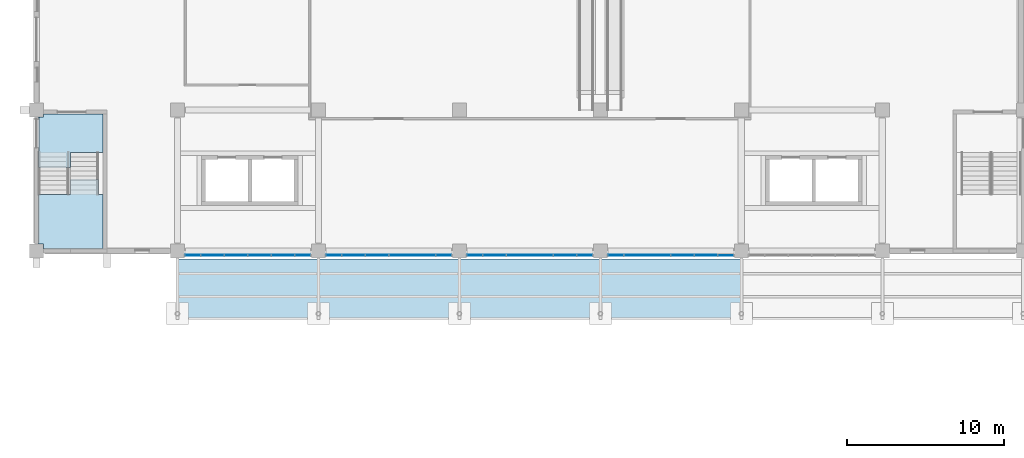
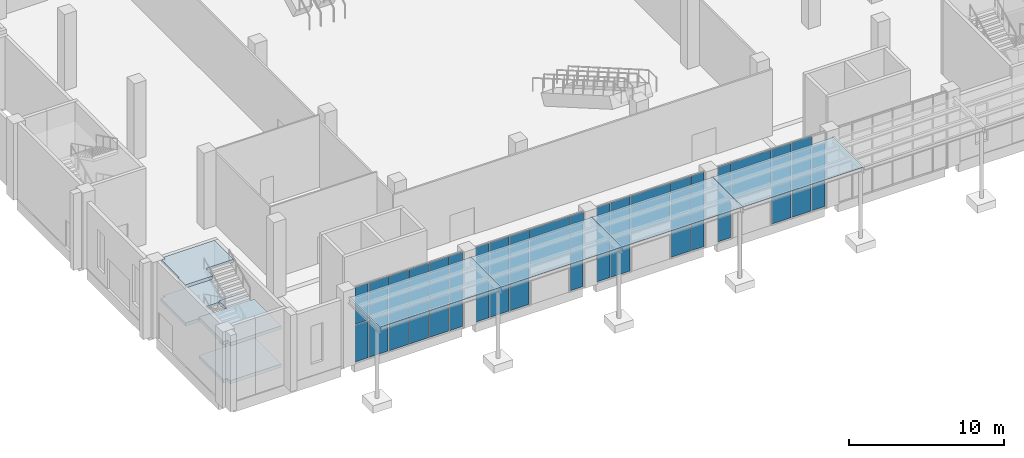
# One storey, part 37 of 86: 63 plates, 4 slabs, 5 elements without a shape of their own.
"""IFC4 building model written with IfcOpenShell, lengths in metres."""

import ifcopenshell
import ifcopenshell.guid

model = None  # the IFC model being written
_history = None  # IfcOwnerHistory: only IFC2X3 demands one
_inside = {}  # id of a spatial element -> (the spatial element, [elements in it])
_under = {}  # id of a project, library or spatial element -> (it, [spatial elements below it])
_declared = {}  # id of a project -> (the project, [libraries it declares])
_typed = {}  # id of a type object -> (the type object, [elements of that type])
_made_of = {}  # id of a material, layer set ... -> (it, [elements and type objects made of it])


def new_model(schema):
    """Start an empty IFC model of exactly this schema.

    Asked for "IFC4X3", IfcOpenShell would pick the latest addendum, in which some entities
    have other attributes; the version numbers below select the first issue.
    IFC2X3 requires an IfcOwnerHistory on every rooted entity: one is made here for all.
    """
    global model, _history
    if schema == "IFC4X3":
        model = ifcopenshell.file(schema_version=(4, 3, 0, 0))
    else:
        model = ifcopenshell.file(schema=schema)
    _inside.clear()
    _under.clear()
    _declared.clear()
    _typed.clear()
    _made_of.clear()
    _history = None
    if model.schema == "IFC2X3":
        org = make("IfcOrganization", Name="unknown")
        user = make(
            "IfcPersonAndOrganization",
            ThePerson=make("IfcPerson", FamilyName="unknown"),
            TheOrganization=org,
        )
        app = make(
            "IfcApplication",
            ApplicationDeveloper=org,
            Version="unknown",
            ApplicationFullName="unknown",
            ApplicationIdentifier="unknown",
        )
        _history = make(
            "IfcOwnerHistory",
            OwningUser=user,
            OwningApplication=app,
            ChangeAction="ADDED",
            CreationDate=0,
        )
    return model


def make(cls, **values):
    """One entity of the class cls with the attributes given. An attribute that is None is left unset."""
    return model.create_entity(
        cls, **{name: value for name, value in values.items() if value is not None}
    )


def rooted(cls, **values):
    """An entity with a GlobalId (a new one), such as an element, a storey or a relation."""
    return make(cls, GlobalId=ifcopenshell.guid.new(), OwnerHistory=_history, **values)


def si_unit(unit_type, name, prefix=None):
    """IfcSIUnit, for example si_unit("LENGTHUNIT", "METRE", prefix="MILLI")."""
    return make("IfcSIUnit", UnitType=unit_type, Prefix=prefix, Name=name)


def assignment(units):
    """IfcUnitAssignment: the units of a project."""
    return None if units is None else make("IfcUnitAssignment", Units=units)


def point(xyz):
    """IfcCartesianPoint."""
    return None if xyz is None else make("IfcCartesianPoint", Coordinates=xyz)


def direction(xyz):
    """IfcDirection."""
    return None if xyz is None else make("IfcDirection", DirectionRatios=xyz)


def frame(location, z_axis=None, x_axis=None):
    """IfcAxis2Placement3D, a coordinate frame: its origin and axes. An axis left out is left unset."""
    return make(
        "IfcAxis2Placement3D",
        Location=point(location),
        Axis=direction(z_axis),
        RefDirection=direction(x_axis),
    )


def frame_2d(location, x_axis=None):
    """IfcAxis2Placement2D, a coordinate frame in the plane: its origin and x axis."""
    return make(
        "IfcAxis2Placement2D", Location=point(location), RefDirection=direction(x_axis)
    )


def origin():
    """The frame at (0, 0, 0) with its axes left unset."""
    return frame((0.0, 0.0, 0.0))


def origin_2d():
    """The frame at (0, 0) in the plane with its x axis left unset."""
    return frame_2d((0.0, 0.0))


def place(relative_to, where):
    """IfcLocalPlacement: puts the frame where relative to a parent placement (None: the world)."""
    return make(
        "IfcLocalPlacement", PlacementRelTo=relative_to, RelativePlacement=where
    )


def context(
    kind, dimensions, precision=None, world=None, true_north=None, identifier=None
):
    """IfcGeometricRepresentationContext, for example the 3D "Model" context."""
    return make(
        "IfcGeometricRepresentationContext",
        ContextIdentifier=identifier,
        ContextType=kind,
        CoordinateSpaceDimension=dimensions,
        Precision=precision,
        WorldCoordinateSystem=world,
        TrueNorth=true_north,
    )


def subcontext(parent, identifier, kind, view, scale=None):
    """IfcGeometricRepresentationSubContext, for example "Body" below "Model"."""
    return make(
        "IfcGeometricRepresentationSubContext",
        ContextIdentifier=identifier,
        ContextType=kind,
        ParentContext=parent,
        TargetScale=scale,
        TargetView=view,
    )


def project(units=None, contexts=None):
    """IfcProject with its units and contexts."""
    return rooted(
        "IfcProject",
        Name="project",
        RepresentationContexts=contexts,
        UnitsInContext=assignment(units),
    )


def spatial(cls, under=None, at=None, **own):
    """A site, building, storey or space (cls), placed at a placement, below another one or the project."""
    s = rooted(cls, ObjectPlacement=at, **own)
    if under is not None:
        _under.setdefault(under.id(), (under, []))[1].append(s)
    return s


def polyline(points):
    """IfcPolyline through the points."""
    return make("IfcPolyline", Points=[point(p) for p in points])


def profile(cls, at=None, kind="AREA", **sizes):
    """A parametric profile (cls). Its sizes go by their IFC names, for example OverallWidth=200.0."""
    return make(cls, ProfileType=kind, Position=at, **sizes)


def rectangle(**sizes):
    """IfcRectangleProfileDef."""
    return profile("IfcRectangleProfileDef", **sizes)


def outline(outer, holes=None, kind="AREA"):
    """IfcArbitraryClosedProfileDef: a profile drawn as a closed curve; with holes, ...WithVoids."""
    if holes is None:
        return make("IfcArbitraryClosedProfileDef", ProfileType=kind, OuterCurve=outer)
    return make(
        "IfcArbitraryProfileDefWithVoids",
        ProfileType=kind,
        OuterCurve=outer,
        InnerCurves=holes,
    )


def extrude(swept, where, along, depth):
    """IfcExtrudedAreaSolid: the profile swept, set in the frame where, extruded along a direction by depth."""
    return make(
        "IfcExtrudedAreaSolid",
        SweptArea=swept,
        Position=where,
        ExtrudedDirection=direction(along),
        Depth=depth,
    )


def shape(context_of_items, identifier, shape_type, items):
    """IfcShapeRepresentation: the items that make up one representation, for example the "Body"."""
    return make(
        "IfcShapeRepresentation",
        ContextOfItems=context_of_items,
        RepresentationIdentifier=identifier,
        RepresentationType=shape_type,
        Items=items,
    )


def material(Name=None, Category=None):
    """IfcMaterial."""
    return make("IfcMaterial", Name=Name, Category=Category)


def layer(
    of_material, thickness, ventilated=None, Name=None, Category=None, Priority=None
):
    """IfcMaterialLayer: one layer of a wall or slab, of a material (None: an air gap)."""
    return make(
        "IfcMaterialLayer",
        Material=of_material,
        LayerThickness=thickness,
        IsVentilated=ventilated,
        Name=Name,
        Category=Category,
        Priority=Priority,
    )


def layer_set(layers, Name=None):
    """IfcMaterialLayerSet."""
    return make("IfcMaterialLayerSet", MaterialLayers=layers, LayerSetName=Name)


def made_of(thing, what):
    """Note that an element or type object is made of a material, layer set ...; save() writes the relation."""
    if what is not None:
        _made_of.setdefault(what.id(), (what, []))[1].append(thing)
    return thing


def type_object(cls, material=None, **own):
    """A type object (cls), such as IfcWallType, which elements share."""
    return made_of(rooted(cls, **own), material)


def element(
    cls,
    number,
    at=None,
    inside=None,
    cuts=None,
    type_object=None,
    material=None,
    context=None,
    identifier="Body",
    shape_type=None,
    held_by="IfcProductDefinitionShape",
    body=None,
    shapes=None,
    **own,
):
    """One element of the class cls, such as IfcWall. Its Tag is "e" and its number.

    at: its placement. inside: the storey or other place that contains it. cuts: it is an
    opening in that element (IfcRelVoidsElement). A single representation is given by context,
    identifier, shape_type and body (its items); several are given by shapes. held_by: the class
    of the entity that holds the representations. save() writes the other relations.
    """
    e = rooted(cls, Tag="e%d" % number, ObjectPlacement=at, **own)
    if body is not None:
        shapes = [shape(context, identifier, shape_type, body)]
    if shapes is not None:
        e.Representation = make(held_by, Representations=shapes)
    if inside is not None:
        _inside.setdefault(inside.id(), (inside, []))[1].append(e)
    if cuts is not None:
        rooted(
            "IfcRelVoidsElement", RelatingBuildingElement=cuts, RelatedOpeningElement=e
        )
    if type_object is not None:
        _typed.setdefault(type_object.id(), (type_object, []))[1].append(e)
    return made_of(e, material)


def aggregate(whole, parts):
    """IfcRelAggregates: a whole, such as a stair, and the parts it consists of."""
    return rooted("IfcRelAggregates", RelatingObject=whole, RelatedObjects=parts)


def save(model, path):
    """Write the relations noted so far, then the file.

    IfcRelAggregates (storeys below a building ...), IfcRelContainedInSpatialStructure (elements
    in a storey), IfcRelDefinesByType, IfcRelAssociatesMaterial and IfcRelDeclares: one each for
    every whole, place, type object, material and project.
    """
    for whole, parts in _under.values():
        aggregate(whole, parts)
    for where, things in _inside.values():
        rooted(
            "IfcRelContainedInSpatialStructure",
            RelatedElements=things,
            RelatingStructure=where,
        )
    for kind, things in _typed.values():
        rooted("IfcRelDefinesByType", RelatedObjects=things, RelatingType=kind)
    for what, things in _made_of.values():
        rooted("IfcRelAssociatesMaterial", RelatedObjects=things, RelatingMaterial=what)
    for by, libraries in _declared.values():
        rooted("IfcRelDeclares", RelatingContext=by, RelatedDefinitions=libraries)
    model.write(path)


model = new_model("IFC4")

# Units and contexts
model_context = context("Model", 3, precision=1e-05, world=origin(), true_north=direction((0.0, 1.0)))
body_context = subcontext(model_context, "Body", "Model", "MODEL_VIEW")
ifc_project = project(units=[si_unit("LENGTHUNIT", "METRE"), si_unit("AREAUNIT", "SQUARE_METRE"), si_unit("VOLUMEUNIT", "CUBIC_METRE"), si_unit("PLANEANGLEUNIT", "RADIAN"), si_unit("MASSUNIT", "GRAM", prefix="KILO")], contexts=[model_context])

# Site, building, storey
site_placement = place(None, origin())
site = spatial("IfcSite", under=ifc_project, at=site_placement, CompositionType="ELEMENT")
building_placement = place(site_placement, origin())
building = spatial("IfcBuilding", under=site, at=building_placement, Name="Guidao Yard Department Store", CompositionType="ELEMENT")
storey_placement = place(building_placement, origin())
storey = spatial("IfcBuildingStorey", under=building, at=storey_placement, Name="L00", CompositionType="ELEMENT", Elevation=0.0)

# Plates
ifc_material_1 = material(Name="Laminated glass", Category="glass")
ifc_layer_1 = layer(ifc_material_1, 0.021484375)
ifc_layer_set_1 = layer_set([ifc_layer_1], Name="Canopy glass CG1 laminated 10+10")
plate_type_1 = type_object("IfcPlateType", Name="Canopy glass CG1 laminated 10+10", PredefinedType="SHEET", material=ifc_layer_set_1)
for number, where, z_axis, x_axis, name in (
    (1, (13.5, 42.56005859375, 5.449951171875), (0.0, 0.0, 1.0), (1.0, 0.0, 0.0), "Entrance canopy glazing 1.1"),
    (2, (22.5, 42.56005859375, 5.449951171875), (0.0, 0.0, 1.0), (1.0, 0.0, 0.0), "Entrance canopy glazing 2.1"),
    (3, (31.5, 42.56005859375, 5.449951171875), (0.0, 0.0, 1.0), (1.0, 0.0, 0.0), "Entrance canopy glazing 3.1"),
    (4, (40.5, 42.56005859375, 5.449951171875), (0.0, 0.0, 1.0), (1.0, 0.0, 0.0), "Entrance canopy glazing 4.1"),
):
    element("IfcPlate", number, at=place(storey_placement, frame(where, z_axis=z_axis, x_axis=x_axis)), inside=storey, type_object=plate_type_1, Name=name, PredefinedType="SHEET", context=body_context, shape_type="SweptSolid", body=[
        extrude(rectangle(XDim=8.989990234375, YDim=3.8798828125, at=origin_2d()), origin(), (0.0, 0.0, 1.0), 0.021484375),
    ])

# Curtain wall, plates
ifc_material_2 = material(Name="Aluminium and glass", Category="aluminium")
ifc_layer_2 = layer(ifc_material_2, 0.159912109375)
ifc_layer_set_2 = layer_set([ifc_layer_2], Name="Hall front curtain wall CW2 1500 module")
curtain_wall_type = type_object("IfcCurtainWallType", Name="Hall front curtain wall CW2 1500 module", PredefinedType="NOTDEFINED", material=ifc_layer_set_2)
curtain_wall_1_placement = place(storey_placement, origin())
curtain_wall_1 = element("IfcCurtainWall", 5, at=curtain_wall_1_placement, inside=storey, type_object=curtain_wall_type, Name="Hall front curtain wall", PredefinedType="NOTDEFINED")
ifc_material_3 = material(Name="Aluminium 6063-T5 faced insulated spandrel", Category="aluminium")
ifc_layer_3 = layer(ifc_material_3, 0.06005859375)
ifc_layer_set_3 = layer_set([ifc_layer_3], Name="Spandrel panel SP1 insulated opaque")
plate_type_2 = type_object("IfcPlateType", Name="Spandrel panel SP1 insulated opaque", PredefinedType="CURTAIN_PANEL", material=ifc_layer_set_3)
plate_1_placement = place(storey_placement, frame((9.989990234375, 44.719970703125, 5.1298828125), z_axis=(0.0, 0.0, 1.0), x_axis=(-1.0, 0.0, 0.0)))
plate_1 = element("IfcPlate", 6, at=plate_1_placement, type_object=plate_type_2, Name="CW-HF-L00-01 panel 1.3", PredefinedType="CURTAIN_PANEL", context=body_context, shape_type="SweptSolid", body=[
    extrude(rectangle(XDim=0.9599609375, YDim=0.06005859375, at=origin_2d()), origin(), (0.0, 0.0, 1.0), 0.81005859375),
])
plate_2_placement = place(storey_placement, frame((11.25, 44.719970703125, 5.1298828125), z_axis=(0.0, 0.0, 1.0), x_axis=(-1.0, 0.0, 0.0)))
plate_2 = element("IfcPlate", 7, at=plate_2_placement, type_object=plate_type_2, Name="CW-HF-L00-01 panel 2.3", PredefinedType="CURTAIN_PANEL", context=body_context, shape_type="SweptSolid", body=[
    extrude(rectangle(XDim=1.43994140625, YDim=0.06005859375, at=origin_2d()), origin(), (0.0, 0.0, 1.0), 0.81005859375),
])
plate_3_placement = place(storey_placement, frame((12.75, 44.719970703125, 5.1298828125), z_axis=(0.0, 0.0, 1.0), x_axis=(-1.0, 0.0, 0.0)))
plate_3 = element("IfcPlate", 8, at=plate_3_placement, type_object=plate_type_2, Name="CW-HF-L00-01 panel 3.3", PredefinedType="CURTAIN_PANEL", context=body_context, shape_type="SweptSolid", body=[
    extrude(rectangle(XDim=1.43994140625, YDim=0.06005859375, at=origin_2d()), origin(), (0.0, 0.0, 1.0), 0.81005859375),
])
plate_4_placement = place(storey_placement, frame((14.25, 44.719970703125, 5.1298828125), z_axis=(0.0, 0.0, 1.0), x_axis=(-1.0, 0.0, 0.0)))
plate_4 = element("IfcPlate", 9, at=plate_4_placement, type_object=plate_type_2, Name="CW-HF-L00-01 panel 4.3", PredefinedType="CURTAIN_PANEL", context=body_context, shape_type="SweptSolid", body=[
    extrude(rectangle(XDim=1.43994140625, YDim=0.06005859375, at=origin_2d()), origin(), (0.0, 0.0, 1.0), 0.81005859375),
])
plate_5_placement = place(storey_placement, frame((15.75, 44.719970703125, 5.1298828125), z_axis=(0.0, 0.0, 1.0), x_axis=(-1.0, 0.0, 0.0)))
plate_5 = element("IfcPlate", 10, at=plate_5_placement, type_object=plate_type_2, Name="CW-HF-L00-01 panel 5.3", PredefinedType="CURTAIN_PANEL", context=body_context, shape_type="SweptSolid", body=[
    extrude(rectangle(XDim=1.43994140625, YDim=0.06005859375, at=origin_2d()), origin(), (0.0, 0.0, 1.0), 0.81005859375),
])
plate_6_placement = place(storey_placement, frame((17.010009765625, 44.719970703125, 5.1298828125), z_axis=(0.0, 0.0, 1.0), x_axis=(-1.0, 0.0, 0.0)))
plate_6 = element("IfcPlate", 11, at=plate_6_placement, type_object=plate_type_2, Name="CW-HF-L00-01 panel 6.3", PredefinedType="CURTAIN_PANEL", context=body_context, shape_type="SweptSolid", body=[
    extrude(rectangle(XDim=0.9599609375, YDim=0.06005859375, at=origin_2d()), origin(), (0.0, 0.0, 1.0), 0.81005859375),
])

curtain_wall_2_placement = place(storey_placement, origin())
curtain_wall_2 = element("IfcCurtainWall", 12, at=curtain_wall_2_placement, inside=storey, type_object=curtain_wall_type, Name="Hall front curtain wall", PredefinedType="NOTDEFINED")
plate_7_placement = place(storey_placement, frame((18.989990234375, 44.719970703125, 5.1298828125), z_axis=(0.0, 0.0, 1.0), x_axis=(-1.0, 0.0, 0.0)))
plate_7 = element("IfcPlate", 13, at=plate_7_placement, type_object=plate_type_2, Name="CW-HF-L00-02 panel 1.3", PredefinedType="CURTAIN_PANEL", context=body_context, shape_type="SweptSolid", body=[
    extrude(rectangle(XDim=0.9599609375, YDim=0.06005859375, at=origin_2d()), origin(), (0.0, 0.0, 1.0), 0.81005859375),
])
plate_8_placement = place(storey_placement, frame((20.25, 44.719970703125, 5.1298828125), z_axis=(0.0, 0.0, 1.0), x_axis=(-1.0, 0.0, 0.0)))
plate_8 = element("IfcPlate", 14, at=plate_8_placement, type_object=plate_type_2, Name="CW-HF-L00-02 panel 2.3", PredefinedType="CURTAIN_PANEL", context=body_context, shape_type="SweptSolid", body=[
    extrude(rectangle(XDim=1.43994140625, YDim=0.06005859375, at=origin_2d()), origin(), (0.0, 0.0, 1.0), 0.81005859375),
])
plate_9_placement = place(storey_placement, frame((21.75, 44.719970703125, 5.1298828125), z_axis=(0.0, 0.0, 1.0), x_axis=(-1.0, 0.0, 0.0)))
plate_9 = element("IfcPlate", 15, at=plate_9_placement, type_object=plate_type_2, Name="CW-HF-L00-02 panel 3.3", PredefinedType="CURTAIN_PANEL", context=body_context, shape_type="SweptSolid", body=[
    extrude(rectangle(XDim=1.43994140625, YDim=0.06005859375, at=origin_2d()), origin(), (0.0, 0.0, 1.0), 0.81005859375),
])
plate_10_placement = place(storey_placement, frame((24.0, 44.719970703125, 5.1298828125), z_axis=(0.0, 0.0, 1.0), x_axis=(-1.0, 0.0, 0.0)))
plate_10 = element("IfcPlate", 16, at=plate_10_placement, type_object=plate_type_2, Name="CW-HF-L00-02 panel 4.3", PredefinedType="CURTAIN_PANEL", context=body_context, shape_type="SweptSolid", body=[
    extrude(rectangle(XDim=2.93994140625, YDim=0.06005859375, at=origin_2d()), origin(), (0.0, 0.0, 1.0), 0.81005859375),
])
plate_11_placement = place(storey_placement, frame((26.010009765625, 44.719970703125, 5.1298828125), z_axis=(0.0, 0.0, 1.0), x_axis=(-1.0, 0.0, 0.0)))
plate_11 = element("IfcPlate", 17, at=plate_11_placement, type_object=plate_type_2, Name="CW-HF-L00-02 panel 5.3", PredefinedType="CURTAIN_PANEL", context=body_context, shape_type="SweptSolid", body=[
    extrude(rectangle(XDim=0.9599609375, YDim=0.06005859375, at=origin_2d()), origin(), (0.0, 0.0, 1.0), 0.81005859375),
])

curtain_wall_3_placement = place(storey_placement, origin())
curtain_wall_3 = element("IfcCurtainWall", 18, at=curtain_wall_3_placement, inside=storey, type_object=curtain_wall_type, Name="Hall front curtain wall", PredefinedType="NOTDEFINED")
plate_12_placement = place(storey_placement, frame((27.989990234375, 44.719970703125, 5.1298828125), z_axis=(0.0, 0.0, 1.0), x_axis=(-1.0, 0.0, 0.0)))
plate_12 = element("IfcPlate", 19, at=plate_12_placement, type_object=plate_type_2, Name="CW-HF-L00-03 panel 1.3", PredefinedType="CURTAIN_PANEL", context=body_context, shape_type="SweptSolid", body=[
    extrude(rectangle(XDim=0.9599609375, YDim=0.06005859375, at=origin_2d()), origin(), (0.0, 0.0, 1.0), 0.81005859375),
])
plate_13_placement = place(storey_placement, frame((29.25, 44.719970703125, 5.1298828125), z_axis=(0.0, 0.0, 1.0), x_axis=(-1.0, 0.0, 0.0)))
plate_13 = element("IfcPlate", 20, at=plate_13_placement, type_object=plate_type_2, Name="CW-HF-L00-03 panel 2.3", PredefinedType="CURTAIN_PANEL", context=body_context, shape_type="SweptSolid", body=[
    extrude(rectangle(XDim=1.43994140625, YDim=0.06005859375, at=origin_2d()), origin(), (0.0, 0.0, 1.0), 0.81005859375),
])
plate_14_placement = place(storey_placement, frame((31.5, 44.719970703125, 5.1298828125), z_axis=(0.0, 0.0, 1.0), x_axis=(-1.0, 0.0, 0.0)))
plate_14 = element("IfcPlate", 21, at=plate_14_placement, type_object=plate_type_2, Name="CW-HF-L00-03 panel 3.3", PredefinedType="CURTAIN_PANEL", context=body_context, shape_type="SweptSolid", body=[
    extrude(rectangle(XDim=2.93994140625, YDim=0.06005859375, at=origin_2d()), origin(), (0.0, 0.0, 1.0), 0.81005859375),
])
plate_15_placement = place(storey_placement, frame((33.75, 44.719970703125, 5.1298828125), z_axis=(0.0, 0.0, 1.0), x_axis=(-1.0, 0.0, 0.0)))
plate_15 = element("IfcPlate", 22, at=plate_15_placement, type_object=plate_type_2, Name="CW-HF-L00-03 panel 4.3", PredefinedType="CURTAIN_PANEL", context=body_context, shape_type="SweptSolid", body=[
    extrude(rectangle(XDim=1.43994140625, YDim=0.06005859375, at=origin_2d()), origin(), (0.0, 0.0, 1.0), 0.81005859375),
])
plate_16_placement = place(storey_placement, frame((35.010009765625, 44.719970703125, 5.1298828125), z_axis=(0.0, 0.0, 1.0), x_axis=(-1.0, 0.0, 0.0)))
plate_16 = element("IfcPlate", 23, at=plate_16_placement, type_object=plate_type_2, Name="CW-HF-L00-03 panel 5.3", PredefinedType="CURTAIN_PANEL", context=body_context, shape_type="SweptSolid", body=[
    extrude(rectangle(XDim=0.9599609375, YDim=0.06005859375, at=origin_2d()), origin(), (0.0, 0.0, 1.0), 0.81005859375),
])

curtain_wall_4_placement = place(storey_placement, origin())
curtain_wall_4 = element("IfcCurtainWall", 24, at=curtain_wall_4_placement, inside=storey, type_object=curtain_wall_type, Name="Hall front curtain wall", PredefinedType="NOTDEFINED")
plate_17_placement = place(storey_placement, frame((36.989990234375, 44.719970703125, 5.1298828125), z_axis=(0.0, 0.0, 1.0), x_axis=(-1.0, 0.0, 0.0)))
plate_17 = element("IfcPlate", 25, at=plate_17_placement, type_object=plate_type_2, Name="CW-HF-L00-04 panel 1.3", PredefinedType="CURTAIN_PANEL", context=body_context, shape_type="SweptSolid", body=[
    extrude(rectangle(XDim=0.9599609375, YDim=0.06005859375, at=origin_2d()), origin(), (0.0, 0.0, 1.0), 0.81005859375),
])
plate_18_placement = place(storey_placement, frame((39.0, 44.719970703125, 5.1298828125), z_axis=(0.0, 0.0, 1.0), x_axis=(-1.0, 0.0, 0.0)))
plate_18 = element("IfcPlate", 26, at=plate_18_placement, type_object=plate_type_2, Name="CW-HF-L00-04 panel 2.3", PredefinedType="CURTAIN_PANEL", context=body_context, shape_type="SweptSolid", body=[
    extrude(rectangle(XDim=2.93994140625, YDim=0.06005859375, at=origin_2d()), origin(), (0.0, 0.0, 1.0), 0.81005859375),
])
plate_19_placement = place(storey_placement, frame((41.25, 44.719970703125, 5.1298828125), z_axis=(0.0, 0.0, 1.0), x_axis=(-1.0, 0.0, 0.0)))
plate_19 = element("IfcPlate", 27, at=plate_19_placement, type_object=plate_type_2, Name="CW-HF-L00-04 panel 3.3", PredefinedType="CURTAIN_PANEL", context=body_context, shape_type="SweptSolid", body=[
    extrude(rectangle(XDim=1.43994140625, YDim=0.06005859375, at=origin_2d()), origin(), (0.0, 0.0, 1.0), 0.81005859375),
])
plate_20_placement = place(storey_placement, frame((42.75, 44.719970703125, 5.1298828125), z_axis=(0.0, 0.0, 1.0), x_axis=(-1.0, 0.0, 0.0)))
plate_20 = element("IfcPlate", 28, at=plate_20_placement, type_object=plate_type_2, Name="CW-HF-L00-04 panel 4.3", PredefinedType="CURTAIN_PANEL", context=body_context, shape_type="SweptSolid", body=[
    extrude(rectangle(XDim=1.43994140625, YDim=0.06005859375, at=origin_2d()), origin(), (0.0, 0.0, 1.0), 0.81005859375),
])

# Stair, slabs
ifc_material_4 = material(Name="Concrete C35", Category="concrete")
stair_type = type_object("IfcStairType", Name="Stair double-return four-flight 1800 wide 6.0 m rise", PredefinedType="DOUBLE_RETURN_STAIR", material=ifc_material_4)
stair_placement = place(storey_placement, origin())
stair = element("IfcStair", 29, at=stair_placement, inside=storey, type_object=stair_type, Name="Stair A8 L00 to L01", PredefinedType="DOUBLE_RETURN_STAIR")
ifc_material_5 = material(Name="Concrete C35", Category="concrete")
ifc_layer_4 = layer(ifc_material_5, 0.25)
ifc_layer_set_4 = layer_set([ifc_layer_4], Name="Stair landing RC 250 C35")
slab_type = type_object("IfcSlabType", Name="Stair landing RC 250 C35", PredefinedType="LANDING", material=ifc_layer_set_4)
slab_1_placement = place(storey_placement, frame((0.0, 0.0, 1.25)))
slab_1 = element("IfcSlab", 30, at=slab_1_placement, type_object=slab_type, Name="SA8-L00 landing 1", PredefinedType="LANDING", context=body_context, shape_type="SweptSolid", body=[
    extrude(outline(polyline([(0.449951171875, 45.125), (0.449951171875, 45.449951171875), (0.125, 45.449951171875), (0.125, 48.60009765625), (0.125, 48.610107421875), (2.175048828125, 48.610107421875), (2.175048828125, 49.56005859375), (3.97509765625, 49.56005859375), (3.97509765625, 48.60009765625), (4.25, 48.60009765625), (4.25, 45.125), (0.449951171875, 45.125)])), origin(), (0.0, 0.0, 1.0), 0.25),
])
slab_2_placement = place(storey_placement, frame((0.0, 0.0, 2.75)))
slab_2 = element("IfcSlab", 31, at=slab_2_placement, type_object=slab_type, Name="SA8-L00 landing 2", PredefinedType="LANDING", context=body_context, shape_type="SweptSolid", body=[
    extrude(outline(polyline([(0.125, 51.300048828125), (0.125, 53.550048828125), (0.449951171875, 53.550048828125), (0.449951171875, 53.75), (4.25, 53.75), (4.25, 51.300048828125), (3.97509765625, 51.300048828125), (3.97509765625, 51.2900390625), (2.175048828125, 51.2900390625), (2.175048828125, 50.340087890625), (0.125, 50.340087890625), (0.125, 51.300048828125)])), origin(), (0.0, 0.0, 1.0), 0.25),
])
slab_3_placement = place(storey_placement, frame((0.0, 0.0, 4.25)))
slab_3 = element("IfcSlab", 32, at=slab_3_placement, type_object=slab_type, Name="SA8-L00 landing 3", PredefinedType="LANDING", context=body_context, shape_type="SweptSolid", body=[
    extrude(outline(polyline([(0.449951171875, 45.125), (0.449951171875, 45.449951171875), (0.125, 45.449951171875), (0.125, 48.60009765625), (0.125, 48.610107421875), (2.175048828125, 48.610107421875), (2.175048828125, 49.56005859375), (3.97509765625, 49.56005859375), (3.97509765625, 48.60009765625), (4.25, 48.60009765625), (4.25, 45.125), (0.449951171875, 45.125)])), origin(), (0.0, 0.0, 1.0), 0.25),
])
slab_4_placement = place(storey_placement, frame((0.0, 0.0, 5.75)))
slab_4 = element("IfcSlab", 33, at=slab_4_placement, type_object=slab_type, Name="SA8-L00 landing 4", PredefinedType="LANDING", context=body_context, shape_type="SweptSolid", body=[
    extrude(outline(polyline([(0.125, 51.300048828125), (0.199951171875, 51.300048828125), (0.199951171875, 53.550048828125), (0.449951171875, 53.550048828125), (0.449951171875, 53.75), (2.175048828125, 53.75), (4.25, 53.75), (4.25, 51.2900390625), (2.175048828125, 51.2900390625), (2.175048828125, 50.340087890625), (0.125, 50.340087890625), (0.125, 51.300048828125)])), origin(), (0.0, 0.0, 1.0), 0.25),
])
aggregate(stair, [slab_1, slab_2, slab_3, slab_4])

# Plate
ifc_material_6 = material(Name="Laminated heat-soaked tempered glass", Category="glass")
ifc_layer_5 = layer(ifc_material_6, 0.017578125)
ifc_layer_set_5 = layer_set([ifc_layer_5], Name="Vision glass VG1 laminated heat-soaked tempered 8+8")
plate_type_3 = type_object("IfcPlateType", Name="Vision glass VG1 laminated heat-soaked tempered 8+8", PredefinedType="CURTAIN_PANEL", material=ifc_layer_set_5)
plate_21_placement = place(storey_placement, frame((9.989990234375, 44.719970703125, 0.06005859375), z_axis=(0.0, 0.0, 1.0), x_axis=(-1.0, 0.0, 0.0)))
plate_21 = element("IfcPlate", 34, at=plate_21_placement, type_object=plate_type_3, Name="CW-HF-L00-01 panel 1.1", PredefinedType="CURTAIN_PANEL", context=body_context, shape_type="SweptSolid", body=[
    extrude(rectangle(XDim=0.9599609375, YDim=0.017578125, at=origin_2d()), origin(), (0.0, 0.0, 1.0), 2.909912109375),
])

plate_22_placement = place(storey_placement, frame((9.989990234375, 44.719970703125, 3.030029296875), z_axis=(0.0, 0.0, 1.0), x_axis=(-1.0, 0.0, 0.0)))
plate_22 = element("IfcPlate", 35, at=plate_22_placement, type_object=plate_type_3, Name="CW-HF-L00-01 panel 1.2", PredefinedType="CURTAIN_PANEL", context=body_context, shape_type="SweptSolid", body=[
    extrude(rectangle(XDim=0.9599609375, YDim=0.017578125, at=origin_2d()), origin(), (0.0, 0.0, 1.0), 2.0400390625),
])

plate_23_placement = place(storey_placement, frame((11.25, 44.719970703125, 0.06005859375), z_axis=(0.0, 0.0, 1.0), x_axis=(-1.0, 0.0, 0.0)))
plate_23 = element("IfcPlate", 36, at=plate_23_placement, type_object=plate_type_3, Name="CW-HF-L00-01 panel 2.1", PredefinedType="CURTAIN_PANEL", context=body_context, shape_type="SweptSolid", body=[
    extrude(rectangle(XDim=1.43994140625, YDim=0.017578125, at=origin_2d()), origin(), (0.0, 0.0, 1.0), 2.909912109375),
])

plate_24_placement = place(storey_placement, frame((11.25, 44.719970703125, 3.030029296875), z_axis=(0.0, 0.0, 1.0), x_axis=(-1.0, 0.0, 0.0)))
plate_24 = element("IfcPlate", 37, at=plate_24_placement, type_object=plate_type_3, Name="CW-HF-L00-01 panel 2.2", PredefinedType="CURTAIN_PANEL", context=body_context, shape_type="SweptSolid", body=[
    extrude(rectangle(XDim=1.43994140625, YDim=0.017578125, at=origin_2d()), origin(), (0.0, 0.0, 1.0), 2.0400390625),
])

plate_25_placement = place(storey_placement, frame((12.75, 44.719970703125, 0.06005859375), z_axis=(0.0, 0.0, 1.0), x_axis=(-1.0, 0.0, 0.0)))
plate_25 = element("IfcPlate", 38, at=plate_25_placement, type_object=plate_type_3, Name="CW-HF-L00-01 panel 3.1", PredefinedType="CURTAIN_PANEL", context=body_context, shape_type="SweptSolid", body=[
    extrude(rectangle(XDim=1.43994140625, YDim=0.017578125, at=origin_2d()), origin(), (0.0, 0.0, 1.0), 2.909912109375),
])

plate_26_placement = place(storey_placement, frame((12.75, 44.719970703125, 3.030029296875), z_axis=(0.0, 0.0, 1.0), x_axis=(-1.0, 0.0, 0.0)))
plate_26 = element("IfcPlate", 39, at=plate_26_placement, type_object=plate_type_3, Name="CW-HF-L00-01 panel 3.2", PredefinedType="CURTAIN_PANEL", context=body_context, shape_type="SweptSolid", body=[
    extrude(rectangle(XDim=1.43994140625, YDim=0.017578125, at=origin_2d()), origin(), (0.0, 0.0, 1.0), 2.0400390625),
])

plate_27_placement = place(storey_placement, frame((14.25, 44.719970703125, 0.06005859375), z_axis=(0.0, 0.0, 1.0), x_axis=(-1.0, 0.0, 0.0)))
plate_27 = element("IfcPlate", 40, at=plate_27_placement, type_object=plate_type_3, Name="CW-HF-L00-01 panel 4.1", PredefinedType="CURTAIN_PANEL", context=body_context, shape_type="SweptSolid", body=[
    extrude(rectangle(XDim=1.43994140625, YDim=0.017578125, at=origin_2d()), origin(), (0.0, 0.0, 1.0), 2.909912109375),
])

plate_28_placement = place(storey_placement, frame((14.25, 44.719970703125, 3.030029296875), z_axis=(0.0, 0.0, 1.0), x_axis=(-1.0, 0.0, 0.0)))
plate_28 = element("IfcPlate", 41, at=plate_28_placement, type_object=plate_type_3, Name="CW-HF-L00-01 panel 4.2", PredefinedType="CURTAIN_PANEL", context=body_context, shape_type="SweptSolid", body=[
    extrude(rectangle(XDim=1.43994140625, YDim=0.017578125, at=origin_2d()), origin(), (0.0, 0.0, 1.0), 2.0400390625),
])

plate_29_placement = place(storey_placement, frame((15.75, 44.719970703125, 0.06005859375), z_axis=(0.0, 0.0, 1.0), x_axis=(-1.0, 0.0, 0.0)))
plate_29 = element("IfcPlate", 42, at=plate_29_placement, type_object=plate_type_3, Name="CW-HF-L00-01 panel 5.1", PredefinedType="CURTAIN_PANEL", context=body_context, shape_type="SweptSolid", body=[
    extrude(rectangle(XDim=1.43994140625, YDim=0.017578125, at=origin_2d()), origin(), (0.0, 0.0, 1.0), 2.909912109375),
])

plate_30_placement = place(storey_placement, frame((15.75, 44.719970703125, 3.030029296875), z_axis=(0.0, 0.0, 1.0), x_axis=(-1.0, 0.0, 0.0)))
plate_30 = element("IfcPlate", 43, at=plate_30_placement, type_object=plate_type_3, Name="CW-HF-L00-01 panel 5.2", PredefinedType="CURTAIN_PANEL", context=body_context, shape_type="SweptSolid", body=[
    extrude(rectangle(XDim=1.43994140625, YDim=0.017578125, at=origin_2d()), origin(), (0.0, 0.0, 1.0), 2.0400390625),
])

plate_31_placement = place(storey_placement, frame((17.010009765625, 44.719970703125, 0.06005859375), z_axis=(0.0, 0.0, 1.0), x_axis=(-1.0, 0.0, 0.0)))
plate_31 = element("IfcPlate", 44, at=plate_31_placement, type_object=plate_type_3, Name="CW-HF-L00-01 panel 6.1", PredefinedType="CURTAIN_PANEL", context=body_context, shape_type="SweptSolid", body=[
    extrude(rectangle(XDim=0.9599609375, YDim=0.017578125, at=origin_2d()), origin(), (0.0, 0.0, 1.0), 2.909912109375),
])

plate_32_placement = place(storey_placement, frame((17.010009765625, 44.719970703125, 3.030029296875), z_axis=(0.0, 0.0, 1.0), x_axis=(-1.0, 0.0, 0.0)))
plate_32 = element("IfcPlate", 45, at=plate_32_placement, type_object=plate_type_3, Name="CW-HF-L00-01 panel 6.2", PredefinedType="CURTAIN_PANEL", context=body_context, shape_type="SweptSolid", body=[
    extrude(rectangle(XDim=0.9599609375, YDim=0.017578125, at=origin_2d()), origin(), (0.0, 0.0, 1.0), 2.0400390625),
])

aggregate(curtain_wall_1, [plate_21, plate_22, plate_1, plate_23, plate_24, plate_2, plate_25, plate_26, plate_3, plate_27, plate_28, plate_4, plate_29, plate_30, plate_5, plate_31, plate_32, plate_6])

plate_33_placement = place(storey_placement, frame((18.989990234375, 44.719970703125, 0.06005859375), z_axis=(0.0, 0.0, 1.0), x_axis=(-1.0, 0.0, 0.0)))
plate_33 = element("IfcPlate", 46, at=plate_33_placement, type_object=plate_type_3, Name="CW-HF-L00-02 panel 1.1", PredefinedType="CURTAIN_PANEL", context=body_context, shape_type="SweptSolid", body=[
    extrude(rectangle(XDim=0.9599609375, YDim=0.017578125, at=origin_2d()), origin(), (0.0, 0.0, 1.0), 2.909912109375),
])

plate_34_placement = place(storey_placement, frame((18.989990234375, 44.719970703125, 3.030029296875), z_axis=(0.0, 0.0, 1.0), x_axis=(-1.0, 0.0, 0.0)))
plate_34 = element("IfcPlate", 47, at=plate_34_placement, type_object=plate_type_3, Name="CW-HF-L00-02 panel 1.2", PredefinedType="CURTAIN_PANEL", context=body_context, shape_type="SweptSolid", body=[
    extrude(rectangle(XDim=0.9599609375, YDim=0.017578125, at=origin_2d()), origin(), (0.0, 0.0, 1.0), 2.0400390625),
])

plate_35_placement = place(storey_placement, frame((20.25, 44.719970703125, 0.06005859375), z_axis=(0.0, 0.0, 1.0), x_axis=(-1.0, 0.0, 0.0)))
plate_35 = element("IfcPlate", 48, at=plate_35_placement, type_object=plate_type_3, Name="CW-HF-L00-02 panel 2.1", PredefinedType="CURTAIN_PANEL", context=body_context, shape_type="SweptSolid", body=[
    extrude(rectangle(XDim=1.43994140625, YDim=0.017578125, at=origin_2d()), origin(), (0.0, 0.0, 1.0), 2.909912109375),
])

plate_36_placement = place(storey_placement, frame((20.25, 44.719970703125, 3.030029296875), z_axis=(0.0, 0.0, 1.0), x_axis=(-1.0, 0.0, 0.0)))
plate_36 = element("IfcPlate", 49, at=plate_36_placement, type_object=plate_type_3, Name="CW-HF-L00-02 panel 2.2", PredefinedType="CURTAIN_PANEL", context=body_context, shape_type="SweptSolid", body=[
    extrude(rectangle(XDim=1.43994140625, YDim=0.017578125, at=origin_2d()), origin(), (0.0, 0.0, 1.0), 2.0400390625),
])

plate_37_placement = place(storey_placement, frame((21.75, 44.719970703125, 0.06005859375), z_axis=(0.0, 0.0, 1.0), x_axis=(-1.0, 0.0, 0.0)))
plate_37 = element("IfcPlate", 50, at=plate_37_placement, type_object=plate_type_3, Name="CW-HF-L00-02 panel 3.1", PredefinedType="CURTAIN_PANEL", context=body_context, shape_type="SweptSolid", body=[
    extrude(rectangle(XDim=1.43994140625, YDim=0.017578125, at=origin_2d()), origin(), (0.0, 0.0, 1.0), 2.909912109375),
])

plate_38_placement = place(storey_placement, frame((21.75, 44.719970703125, 3.030029296875), z_axis=(0.0, 0.0, 1.0), x_axis=(-1.0, 0.0, 0.0)))
plate_38 = element("IfcPlate", 51, at=plate_38_placement, type_object=plate_type_3, Name="CW-HF-L00-02 panel 3.2", PredefinedType="CURTAIN_PANEL", context=body_context, shape_type="SweptSolid", body=[
    extrude(rectangle(XDim=1.43994140625, YDim=0.017578125, at=origin_2d()), origin(), (0.0, 0.0, 1.0), 2.0400390625),
])

plate_39_placement = place(storey_placement, frame((24.0, 44.719970703125, 3.030029296875), z_axis=(0.0, 0.0, 1.0), x_axis=(-1.0, 0.0, 0.0)))
plate_39 = element("IfcPlate", 52, at=plate_39_placement, type_object=plate_type_3, Name="CW-HF-L00-02 panel 4.2", PredefinedType="CURTAIN_PANEL", context=body_context, shape_type="SweptSolid", body=[
    extrude(rectangle(XDim=2.93994140625, YDim=0.017578125, at=origin_2d()), origin(), (0.0, 0.0, 1.0), 2.0400390625),
])

plate_40_placement = place(storey_placement, frame((26.010009765625, 44.719970703125, 0.06005859375), z_axis=(0.0, 0.0, 1.0), x_axis=(-1.0, 0.0, 0.0)))
plate_40 = element("IfcPlate", 53, at=plate_40_placement, type_object=plate_type_3, Name="CW-HF-L00-02 panel 5.1", PredefinedType="CURTAIN_PANEL", context=body_context, shape_type="SweptSolid", body=[
    extrude(rectangle(XDim=0.9599609375, YDim=0.017578125, at=origin_2d()), origin(), (0.0, 0.0, 1.0), 2.909912109375),
])

plate_41_placement = place(storey_placement, frame((26.010009765625, 44.719970703125, 3.030029296875), z_axis=(0.0, 0.0, 1.0), x_axis=(-1.0, 0.0, 0.0)))
plate_41 = element("IfcPlate", 54, at=plate_41_placement, type_object=plate_type_3, Name="CW-HF-L00-02 panel 5.2", PredefinedType="CURTAIN_PANEL", context=body_context, shape_type="SweptSolid", body=[
    extrude(rectangle(XDim=0.9599609375, YDim=0.017578125, at=origin_2d()), origin(), (0.0, 0.0, 1.0), 2.0400390625),
])

aggregate(curtain_wall_2, [plate_33, plate_34, plate_7, plate_35, plate_36, plate_8, plate_37, plate_38, plate_9, plate_39, plate_10, plate_40, plate_41, plate_11])

plate_42_placement = place(storey_placement, frame((27.989990234375, 44.719970703125, 0.06005859375), z_axis=(0.0, 0.0, 1.0), x_axis=(-1.0, 0.0, 0.0)))
plate_42 = element("IfcPlate", 55, at=plate_42_placement, type_object=plate_type_3, Name="CW-HF-L00-03 panel 1.1", PredefinedType="CURTAIN_PANEL", context=body_context, shape_type="SweptSolid", body=[
    extrude(rectangle(XDim=0.9599609375, YDim=0.017578125, at=origin_2d()), origin(), (0.0, 0.0, 1.0), 2.909912109375),
])

plate_43_placement = place(storey_placement, frame((27.989990234375, 44.719970703125, 3.030029296875), z_axis=(0.0, 0.0, 1.0), x_axis=(-1.0, 0.0, 0.0)))
plate_43 = element("IfcPlate", 56, at=plate_43_placement, type_object=plate_type_3, Name="CW-HF-L00-03 panel 1.2", PredefinedType="CURTAIN_PANEL", context=body_context, shape_type="SweptSolid", body=[
    extrude(rectangle(XDim=0.9599609375, YDim=0.017578125, at=origin_2d()), origin(), (0.0, 0.0, 1.0), 2.0400390625),
])

plate_44_placement = place(storey_placement, frame((29.25, 44.719970703125, 0.06005859375), z_axis=(0.0, 0.0, 1.0), x_axis=(-1.0, 0.0, 0.0)))
plate_44 = element("IfcPlate", 57, at=plate_44_placement, type_object=plate_type_3, Name="CW-HF-L00-03 panel 2.1", PredefinedType="CURTAIN_PANEL", context=body_context, shape_type="SweptSolid", body=[
    extrude(rectangle(XDim=1.43994140625, YDim=0.017578125, at=origin_2d()), origin(), (0.0, 0.0, 1.0), 2.909912109375),
])

plate_45_placement = place(storey_placement, frame((29.25, 44.719970703125, 3.030029296875), z_axis=(0.0, 0.0, 1.0), x_axis=(-1.0, 0.0, 0.0)))
plate_45 = element("IfcPlate", 58, at=plate_45_placement, type_object=plate_type_3, Name="CW-HF-L00-03 panel 2.2", PredefinedType="CURTAIN_PANEL", context=body_context, shape_type="SweptSolid", body=[
    extrude(rectangle(XDim=1.43994140625, YDim=0.017578125, at=origin_2d()), origin(), (0.0, 0.0, 1.0), 2.0400390625),
])

plate_46_placement = place(storey_placement, frame((31.5, 44.719970703125, 3.030029296875), z_axis=(0.0, 0.0, 1.0), x_axis=(-1.0, 0.0, 0.0)))
plate_46 = element("IfcPlate", 59, at=plate_46_placement, type_object=plate_type_3, Name="CW-HF-L00-03 panel 3.2", PredefinedType="CURTAIN_PANEL", context=body_context, shape_type="SweptSolid", body=[
    extrude(rectangle(XDim=2.93994140625, YDim=0.017578125, at=origin_2d()), origin(), (0.0, 0.0, 1.0), 2.0400390625),
])

plate_47_placement = place(storey_placement, frame((33.75, 44.719970703125, 0.06005859375), z_axis=(0.0, 0.0, 1.0), x_axis=(-1.0, 0.0, 0.0)))
plate_47 = element("IfcPlate", 60, at=plate_47_placement, type_object=plate_type_3, Name="CW-HF-L00-03 panel 4.1", PredefinedType="CURTAIN_PANEL", context=body_context, shape_type="SweptSolid", body=[
    extrude(rectangle(XDim=1.43994140625, YDim=0.017578125, at=origin_2d()), origin(), (0.0, 0.0, 1.0), 2.909912109375),
])

plate_48_placement = place(storey_placement, frame((33.75, 44.719970703125, 3.030029296875), z_axis=(0.0, 0.0, 1.0), x_axis=(-1.0, 0.0, 0.0)))
plate_48 = element("IfcPlate", 61, at=plate_48_placement, type_object=plate_type_3, Name="CW-HF-L00-03 panel 4.2", PredefinedType="CURTAIN_PANEL", context=body_context, shape_type="SweptSolid", body=[
    extrude(rectangle(XDim=1.43994140625, YDim=0.017578125, at=origin_2d()), origin(), (0.0, 0.0, 1.0), 2.0400390625),
])

plate_49_placement = place(storey_placement, frame((35.010009765625, 44.719970703125, 0.06005859375), z_axis=(0.0, 0.0, 1.0), x_axis=(-1.0, 0.0, 0.0)))
plate_49 = element("IfcPlate", 62, at=plate_49_placement, type_object=plate_type_3, Name="CW-HF-L00-03 panel 5.1", PredefinedType="CURTAIN_PANEL", context=body_context, shape_type="SweptSolid", body=[
    extrude(rectangle(XDim=0.9599609375, YDim=0.017578125, at=origin_2d()), origin(), (0.0, 0.0, 1.0), 2.909912109375),
])

plate_50_placement = place(storey_placement, frame((35.010009765625, 44.719970703125, 3.030029296875), z_axis=(0.0, 0.0, 1.0), x_axis=(-1.0, 0.0, 0.0)))
plate_50 = element("IfcPlate", 63, at=plate_50_placement, type_object=plate_type_3, Name="CW-HF-L00-03 panel 5.2", PredefinedType="CURTAIN_PANEL", context=body_context, shape_type="SweptSolid", body=[
    extrude(rectangle(XDim=0.9599609375, YDim=0.017578125, at=origin_2d()), origin(), (0.0, 0.0, 1.0), 2.0400390625),
])

aggregate(curtain_wall_3, [plate_42, plate_43, plate_12, plate_44, plate_45, plate_13, plate_46, plate_14, plate_47, plate_48, plate_15, plate_49, plate_50, plate_16])

plate_51_placement = place(storey_placement, frame((36.989990234375, 44.719970703125, 0.06005859375), z_axis=(0.0, 0.0, 1.0), x_axis=(-1.0, 0.0, 0.0)))
plate_51 = element("IfcPlate", 64, at=plate_51_placement, type_object=plate_type_3, Name="CW-HF-L00-04 panel 1.1", PredefinedType="CURTAIN_PANEL", context=body_context, shape_type="SweptSolid", body=[
    extrude(rectangle(XDim=0.9599609375, YDim=0.017578125, at=origin_2d()), origin(), (0.0, 0.0, 1.0), 2.909912109375),
])

plate_52_placement = place(storey_placement, frame((36.989990234375, 44.719970703125, 3.030029296875), z_axis=(0.0, 0.0, 1.0), x_axis=(-1.0, 0.0, 0.0)))
plate_52 = element("IfcPlate", 65, at=plate_52_placement, type_object=plate_type_3, Name="CW-HF-L00-04 panel 1.2", PredefinedType="CURTAIN_PANEL", context=body_context, shape_type="SweptSolid", body=[
    extrude(rectangle(XDim=0.9599609375, YDim=0.017578125, at=origin_2d()), origin(), (0.0, 0.0, 1.0), 2.0400390625),
])

plate_53_placement = place(storey_placement, frame((39.0, 44.719970703125, 3.030029296875), z_axis=(0.0, 0.0, 1.0), x_axis=(-1.0, 0.0, 0.0)))
plate_53 = element("IfcPlate", 66, at=plate_53_placement, type_object=plate_type_3, Name="CW-HF-L00-04 panel 2.2", PredefinedType="CURTAIN_PANEL", context=body_context, shape_type="SweptSolid", body=[
    extrude(rectangle(XDim=2.93994140625, YDim=0.017578125, at=origin_2d()), origin(), (0.0, 0.0, 1.0), 2.0400390625),
])

plate_54_placement = place(storey_placement, frame((41.25, 44.719970703125, 0.06005859375), z_axis=(0.0, 0.0, 1.0), x_axis=(-1.0, 0.0, 0.0)))
plate_54 = element("IfcPlate", 67, at=plate_54_placement, type_object=plate_type_3, Name="CW-HF-L00-04 panel 3.1", PredefinedType="CURTAIN_PANEL", context=body_context, shape_type="SweptSolid", body=[
    extrude(rectangle(XDim=1.43994140625, YDim=0.017578125, at=origin_2d()), origin(), (0.0, 0.0, 1.0), 2.909912109375),
])

plate_55_placement = place(storey_placement, frame((41.25, 44.719970703125, 3.030029296875), z_axis=(0.0, 0.0, 1.0), x_axis=(-1.0, 0.0, 0.0)))
plate_55 = element("IfcPlate", 68, at=plate_55_placement, type_object=plate_type_3, Name="CW-HF-L00-04 panel 3.2", PredefinedType="CURTAIN_PANEL", context=body_context, shape_type="SweptSolid", body=[
    extrude(rectangle(XDim=1.43994140625, YDim=0.017578125, at=origin_2d()), origin(), (0.0, 0.0, 1.0), 2.0400390625),
])

plate_56_placement = place(storey_placement, frame((42.75, 44.719970703125, 0.06005859375), z_axis=(0.0, 0.0, 1.0), x_axis=(-1.0, 0.0, 0.0)))
plate_56 = element("IfcPlate", 69, at=plate_56_placement, type_object=plate_type_3, Name="CW-HF-L00-04 panel 4.1", PredefinedType="CURTAIN_PANEL", context=body_context, shape_type="SweptSolid", body=[
    extrude(rectangle(XDim=1.43994140625, YDim=0.017578125, at=origin_2d()), origin(), (0.0, 0.0, 1.0), 2.909912109375),
])

plate_57_placement = place(storey_placement, frame((42.75, 44.719970703125, 3.030029296875), z_axis=(0.0, 0.0, 1.0), x_axis=(-1.0, 0.0, 0.0)))
plate_57 = element("IfcPlate", 70, at=plate_57_placement, type_object=plate_type_3, Name="CW-HF-L00-04 panel 4.2", PredefinedType="CURTAIN_PANEL", context=body_context, shape_type="SweptSolid", body=[
    extrude(rectangle(XDim=1.43994140625, YDim=0.017578125, at=origin_2d()), origin(), (0.0, 0.0, 1.0), 2.0400390625),
])

plate_58_placement = place(storey_placement, frame((44.010009765625, 44.719970703125, 0.06005859375), z_axis=(0.0, 0.0, 1.0), x_axis=(-1.0, 0.0, 0.0)))
plate_58 = element("IfcPlate", 71, at=plate_58_placement, type_object=plate_type_3, Name="CW-HF-L00-04 panel 5.1", PredefinedType="CURTAIN_PANEL", context=body_context, shape_type="SweptSolid", body=[
    extrude(rectangle(XDim=0.9599609375, YDim=0.017578125, at=origin_2d()), origin(), (0.0, 0.0, 1.0), 2.909912109375),
])

plate_59_placement = place(storey_placement, frame((44.010009765625, 44.719970703125, 3.030029296875), z_axis=(0.0, 0.0, 1.0), x_axis=(-1.0, 0.0, 0.0)))
plate_59 = element("IfcPlate", 72, at=plate_59_placement, type_object=plate_type_3, Name="CW-HF-L00-04 panel 5.2", PredefinedType="CURTAIN_PANEL", context=body_context, shape_type="SweptSolid", body=[
    extrude(rectangle(XDim=0.9599609375, YDim=0.017578125, at=origin_2d()), origin(), (0.0, 0.0, 1.0), 2.0400390625),
])

aggregate(curtain_wall_4, [plate_51, plate_52, plate_17, plate_53, plate_18, plate_54, plate_55, plate_19, plate_56, plate_57, plate_20, plate_58, plate_59])

save(model, "model.ifc")
